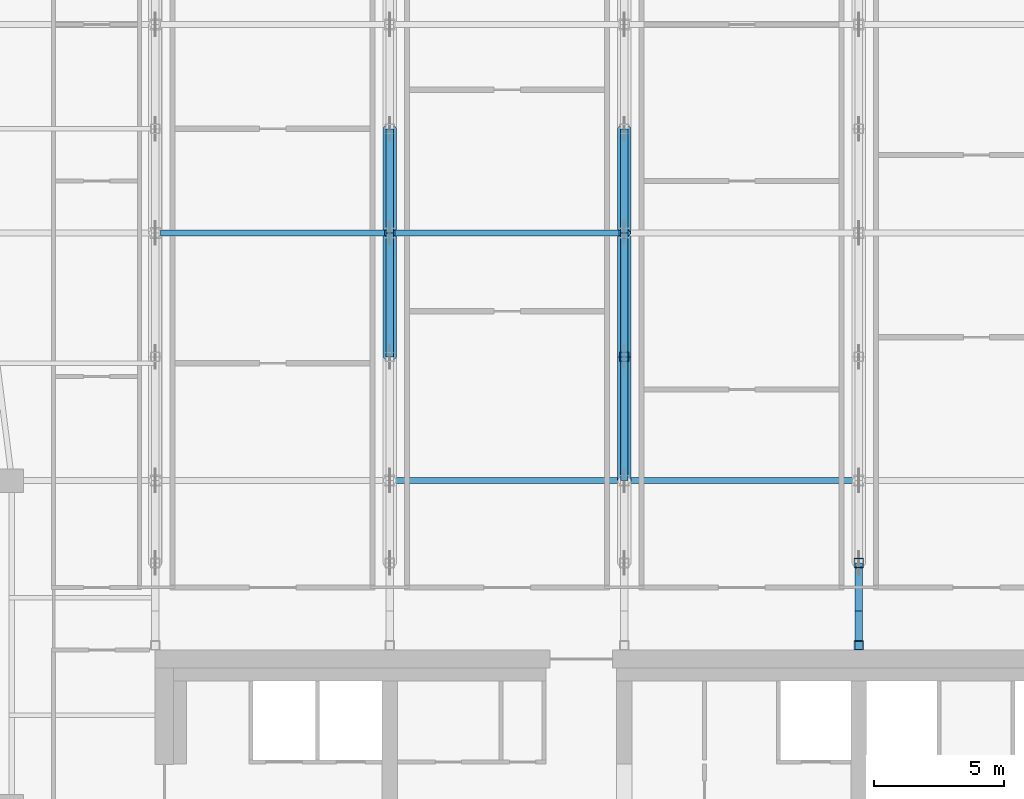
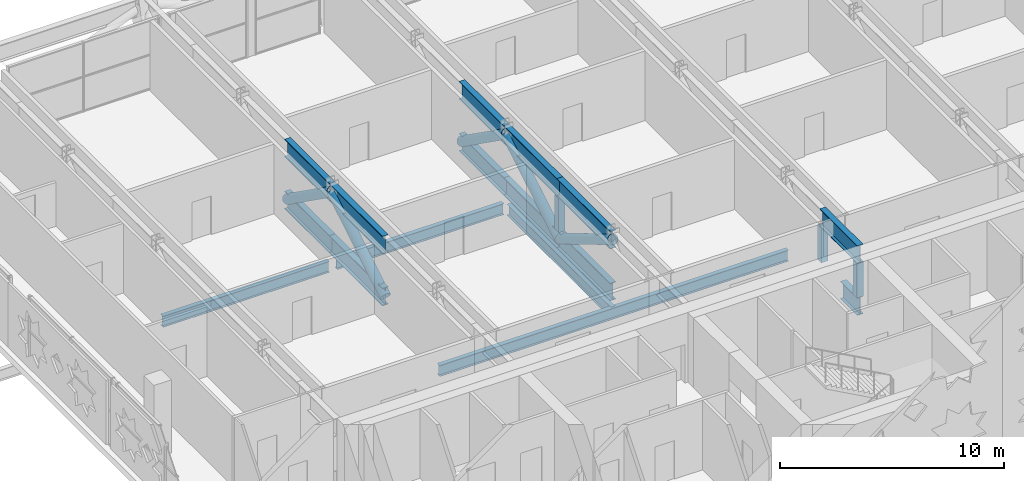
# One storey, part 5 of 26: 20 members, 4 beams.
"""IFC4 building model written with IfcOpenShell, lengths in metres."""

from ifc_helpers import new_model, si_unit, direction, frame, origin, origin_2d, place, context, subcontext, project, spatial, hollow_rectangle, hollow_circle, i_section, extrude, material, material_profile, profile_set, type_object, element, save


model = new_model("IFC4")

# Units and contexts
model_context = context("Model", 3, precision=1e-05, world=origin(), true_north=direction((0.0, 1.0)))
body_context = subcontext(model_context, "Body", "Model", "MODEL_VIEW")
ifc_project = project(units=[si_unit("LENGTHUNIT", "METRE"), si_unit("AREAUNIT", "SQUARE_METRE"), si_unit("VOLUMEUNIT", "CUBIC_METRE"), si_unit("PLANEANGLEUNIT", "RADIAN"), si_unit("MASSUNIT", "GRAM", prefix="KILO")], contexts=[model_context])

# Site, building, storey
site_placement = place(None, origin())
site = spatial("IfcSite", under=ifc_project, at=site_placement, CompositionType="ELEMENT")
building_placement = place(site_placement, origin())
building = spatial("IfcBuilding", under=site, at=building_placement, Name="Zellij Exchange Tower", CompositionType="ELEMENT")
storey_placement = place(building_placement, frame((0.0, 0.0, 216.5)))
storey = spatial("IfcBuildingStorey", under=building, at=storey_placement, Name="L50", CompositionType="ELEMENT", Elevation=216.5)

# Beams
ifc_material_1 = material(Name="Structural steel ASTM A992 Gr 50", Category="steel")
ifc_material_profile_1 = material_profile(ifc_material_1, i_section(OverallWidth=0.228271484375, OverallDepth=0.607177734375, WebThickness=0.01123046875, FlangeThickness=0.017333984375, at=origin_2d()), Name="W24x76")
ifc_profile_set_1 = profile_set([ifc_material_profile_1], Name="Structural steel ASTM A992 Gr 50")
beam_type = type_object("IfcBeamType", Name="STR-GIRDER W24x76", PredefinedType="BEAM", material=ifc_profile_set_1)
beam_1_placement = place(storey_placement, frame((-18.0, 4.5, -0.653564453125), z_axis=(1.0, 0.0, 0.0), x_axis=(0.0, 1.0, 0.0)))
element("IfcBeam", 1, at=beam_1_placement, inside=storey, type_object=beam_type, Name="G2", PredefinedType="BEAM", context=body_context, shape_type="SweptSolid", body=[
    extrude(i_section(OverallWidth=0.228271484375, OverallDepth=0.607177734375, WebThickness=0.01123046875, FlangeThickness=0.017333984375, at=origin_2d()), origin(), (0.0, 0.0, 1.0), 18.0),
])
for number, where, z_axis, x_axis, name in (
    (2, (-26.79541015625, 14.0, -0.653564453125), (1.0, 0.0, 0.0), (0.0, 1.0, 0.0), "G2"),
    (3, (-17.79541015625, 14.0, -0.653564453125), (1.0, 0.0, 0.0), (0.0, 1.0, 0.0), "G2"),
):
    element("IfcBeam", number, at=place(storey_placement, frame(where, z_axis=z_axis, x_axis=x_axis)), inside=storey, type_object=beam_type, Name=name, PredefinedType="BEAM", context=body_context, shape_type="SweptSolid", body=[
        extrude(i_section(OverallWidth=0.228271484375, OverallDepth=0.607177734375, WebThickness=0.01123046875, FlangeThickness=0.017333984375, at=origin_2d()), origin(), (0.0, 0.0, 1.0), 8.5908203125),
    ])
beam_2_placement = place(storey_placement, frame((-9.0, 4.5, -0.653564453125), z_axis=(0.0, 1.0, 0.0), x_axis=(-1.0, 0.0, 0.0)))
element("IfcBeam", 4, at=beam_2_placement, inside=storey, type_object=beam_type, Name="G2", PredefinedType="BEAM", context=body_context, shape_type="SweptSolid", body=[
    extrude(i_section(OverallWidth=0.228271484375, OverallDepth=0.607177734375, WebThickness=0.01123046875, FlangeThickness=0.017333984375, at=origin_2d()), origin(), (0.0, 0.0, 1.0), 9.287841796875),
])

# Members
ifc_material_2 = material(Name="Structural steel ASTM A913 Gr 65", Category="steel")
ifc_material_profile_2 = material_profile(ifc_material_2, i_section(OverallWidth=0.2998046875, OverallDepth=0.965087890625, WebThickness=0.01904296875, FlangeThickness=0.0361328125, at=origin_2d()), Name="W40x249")
ifc_profile_set_2 = profile_set([ifc_material_profile_2], Name="Structural steel ASTM A913 Gr 65")
member_type_1 = type_object("IfcMemberType", Name="STR-OUTRIGGER TRUSS CHORD W40x249", PredefinedType="CHORD", material=ifc_profile_set_2)
for number, where, z_axis, x_axis, name in (
    (5, (-18.0, 9.25, 3.3173828125), (0.0, 1.0, 0.0), (-1.0, 0.0, 0.0), "OT1"),
    (6, (-18.0, 9.25, 0.482666015625), (0.0, 1.0, 0.0), (-1.0, 0.0, 0.0), "OT1"),
):
    element("IfcMember", number, at=place(storey_placement, frame(where, z_axis=z_axis, x_axis=x_axis)), inside=storey, type_object=member_type_1, Name=name, PredefinedType="CHORD", context=body_context, shape_type="SweptSolid", body=[
        extrude(i_section(OverallWidth=0.2998046875, OverallDepth=0.965087890625, WebThickness=0.01904296875, FlangeThickness=0.0361328125, at=origin_2d()), origin(), (0.0, 0.0, 1.0), 4.75),
    ])
for number, where, z_axis, x_axis, name in (
    (7, (-18.0, 14.0, 3.3173828125), (0.0, 1.0, 0.0), (-1.0, 0.0, 0.0), "OT1"),
    (8, (-18.0, 14.0, 0.482666015625), (0.0, 1.0, 0.0), (-1.0, 0.0, 0.0), "OT1"),
):
    element("IfcMember", number, at=place(storey_placement, frame(where, z_axis=z_axis, x_axis=x_axis)), inside=storey, type_object=member_type_1, Name=name, PredefinedType="CHORD", context=body_context, shape_type="SweptSolid", body=[
        extrude(i_section(OverallWidth=0.2998046875, OverallDepth=0.965087890625, WebThickness=0.01904296875, FlangeThickness=0.0361328125, at=origin_2d()), origin(), (0.0, 0.0, 1.0), 4.0),
    ])
for number, where, z_axis, x_axis, name in (
    (9, (-9.0, 4.5, 3.3173828125), (0.0, 1.0, 0.0), (-1.0, 0.0, 0.0), "OT1"),
    (10, (-9.0, 4.5, 0.482666015625), (0.0, 1.0, 0.0), (-1.0, 0.0, 0.0), "OT1"),
    (11, (-9.0, 9.25, 3.3173828125), (0.0, 1.0, 0.0), (-1.0, 0.0, 0.0), "OT1"),
    (12, (-9.0, 9.25, 0.482666015625), (0.0, 1.0, 0.0), (-1.0, 0.0, 0.0), "OT1"),
):
    element("IfcMember", number, at=place(storey_placement, frame(where, z_axis=z_axis, x_axis=x_axis)), inside=storey, type_object=member_type_1, Name=name, PredefinedType="CHORD", context=body_context, shape_type="SweptSolid", body=[
        extrude(i_section(OverallWidth=0.2998046875, OverallDepth=0.965087890625, WebThickness=0.01904296875, FlangeThickness=0.0361328125, at=origin_2d()), origin(), (0.0, 0.0, 1.0), 4.75),
    ])
for number, where, z_axis, x_axis, name in (
    (13, (-9.0, 14.0, 3.3173828125), (0.0, 1.0, 0.0), (-1.0, 0.0, 0.0), "OT1"),
    (14, (-9.0, 14.0, 0.482666015625), (0.0, 1.0, 0.0), (-1.0, 0.0, 0.0), "OT1"),
):
    element("IfcMember", number, at=place(storey_placement, frame(where, z_axis=z_axis, x_axis=x_axis)), inside=storey, type_object=member_type_1, Name=name, PredefinedType="CHORD", context=body_context, shape_type="SweptSolid", body=[
        extrude(i_section(OverallWidth=0.2998046875, OverallDepth=0.965087890625, WebThickness=0.01904296875, FlangeThickness=0.0361328125, at=origin_2d()), origin(), (0.0, 0.0, 1.0), 4.0),
    ])
member_1_placement = place(storey_placement, frame((0.0, -2.0, 3.3173828125), z_axis=(0.0, 1.0, 0.0), x_axis=(-1.0, 0.0, 0.0)))
element("IfcMember", 15, at=member_1_placement, inside=storey, type_object=member_type_1, Name="OT1", PredefinedType="CHORD", context=body_context, shape_type="SweptSolid", body=[
    extrude(i_section(OverallWidth=0.2998046875, OverallDepth=0.965087890625, WebThickness=0.01904296875, FlangeThickness=0.0361328125, at=origin_2d()), origin(), (0.0, 0.0, 1.0), 3.339111328125),
])
member_2_placement = place(storey_placement, frame((0.0, -2.0, 0.482666015625), z_axis=(0.0, 1.0, 0.0), x_axis=(-1.0, 0.0, 0.0)))
element("IfcMember", 16, at=member_2_placement, inside=storey, type_object=member_type_1, Name="OT1", PredefinedType="CHORD", context=body_context, shape_type="SweptSolid", body=[
    extrude(i_section(OverallWidth=0.2998046875, OverallDepth=0.965087890625, WebThickness=0.01904296875, FlangeThickness=0.0361328125, at=origin_2d()), origin(), (0.0, 0.0, 1.0), 1.5),
])
ifc_material_3 = material(Name="Structural steel ASTM A500 Gr C", Category="steel")
ifc_material_profile_3 = material_profile(ifc_material_3, hollow_circle(Radius=0.25390625, WallThickness=0.01171875, at=origin_2d()), Name="STR-OUTRIGGER TRUSS DIAGONAL HSS20.000x0.500")
ifc_profile_set_3 = profile_set([ifc_material_profile_3], Name="Structural steel ASTM A500 Gr C")
member_type_2 = type_object("IfcMemberType", Name="STR-OUTRIGGER TRUSS DIAGONAL HSS20.000x0.500", PredefinedType="BRACE", material=ifc_profile_set_3)
member_3_placement = place(storey_placement, frame((-18.0, 9.25, 0.482666015625), z_axis=(0.0, 0.858709450823, 0.512462758712), x_axis=(-1.0, 0.0, 0.0)))
element("IfcMember", 17, at=member_3_placement, inside=storey, type_object=member_type_2, Name="OT2", PredefinedType="BRACE", context=body_context, shape_type="SweptSolid", body=[
    extrude(hollow_circle(Radius=0.25390625, WallThickness=0.01171875, at=origin_2d()), origin(), (0.0, 0.0, 1.0), 5.531494140625),
])
member_4_placement = place(storey_placement, frame((-18.0, 14.0, 3.3173828125), z_axis=(0.0, 0.815891357609, -0.57820523396), x_axis=(-1.0, 0.0, 0.0)))
element("IfcMember", 18, at=member_4_placement, inside=storey, type_object=member_type_2, Name="OT2", PredefinedType="BRACE", context=body_context, shape_type="SweptSolid", body=[
    extrude(hollow_circle(Radius=0.25390625, WallThickness=0.01171875, at=origin_2d()), origin(), (0.0, 0.0, 1.0), 4.902587890625),
])
for number, where, z_axis, x_axis, name in (
    (19, (-9.0, 4.5, 3.3173828125), (0.0, 0.858709450823, -0.512462758712), (-1.0, 0.0, 0.0), "OT2"),
    (20, (-9.0, 9.25, 0.482666015625), (0.0, 0.858709450823, 0.512462758712), (-1.0, 0.0, 0.0), "OT2"),
):
    element("IfcMember", number, at=place(storey_placement, frame(where, z_axis=z_axis, x_axis=x_axis)), inside=storey, type_object=member_type_2, Name=name, PredefinedType="BRACE", context=body_context, shape_type="SweptSolid", body=[
        extrude(hollow_circle(Radius=0.25390625, WallThickness=0.01171875, at=origin_2d()), origin(), (0.0, 0.0, 1.0), 5.531494140625),
    ])
member_5_placement = place(storey_placement, frame((-9.0, 14.0, 3.3173828125), z_axis=(0.0, 0.815891357609, -0.57820523396), x_axis=(-1.0, 0.0, 0.0)))
element("IfcMember", 21, at=member_5_placement, inside=storey, type_object=member_type_2, Name="OT2", PredefinedType="BRACE", context=body_context, shape_type="SweptSolid", body=[
    extrude(hollow_circle(Radius=0.25390625, WallThickness=0.01171875, at=origin_2d()), origin(), (0.0, 0.0, 1.0), 4.902587890625),
])
ifc_material_profile_4 = material_profile(ifc_material_3, hollow_rectangle(XDim=0.355712890625, YDim=0.355712890625, WallThickness=0.01171875, InnerFilletRadius=0.01171875, OuterFilletRadius=0.023681640625, at=origin_2d()), Name="STR-OUTRIGGER TRUSS POST HSS14x14x1/2")
ifc_profile_set_4 = profile_set([ifc_material_profile_4], Name="Structural steel ASTM A500 Gr C")
member_type_3 = type_object("IfcMemberType", Name="STR-OUTRIGGER TRUSS POST HSS14x14x1/2", PredefinedType="POST", material=ifc_profile_set_4)
for number, where, z_axis, x_axis, name in (
    (22, (-9.0, 9.25, 0.965087890625), (0.0, 0.0, 1.0), (1.0, 0.0, 0.0), "OT3"),
    (23, (0.0, -1.822265625, 0.965087890625), (0.0, 0.0, 1.0), (1.0, 0.0, 0.0), "OT3"),
    (24, (0.0, 1.339111328125, 0.965087890625), (0.0, 0.0, 1.0), (1.0, 0.0, 0.0), "OT3"),
):
    element("IfcMember", number, at=place(storey_placement, frame(where, z_axis=z_axis, x_axis=x_axis)), inside=storey, type_object=member_type_3, Name=name, PredefinedType="POST", context=body_context, shape_type="SweptSolid", body=[
        extrude(hollow_rectangle(XDim=0.355712890625, YDim=0.355712890625, WallThickness=0.01171875, InnerFilletRadius=0.01171875, OuterFilletRadius=0.023681640625, at=origin_2d()), origin(), (0.0, 0.0, 1.0), 1.86962890625),
    ])

save(model, "model.ifc")
